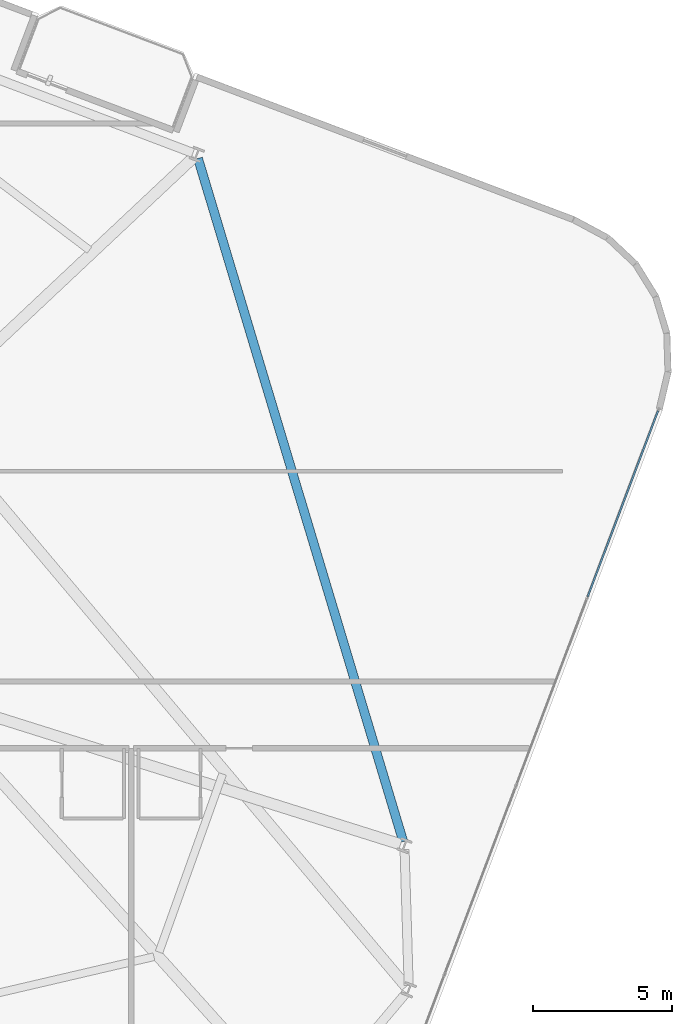
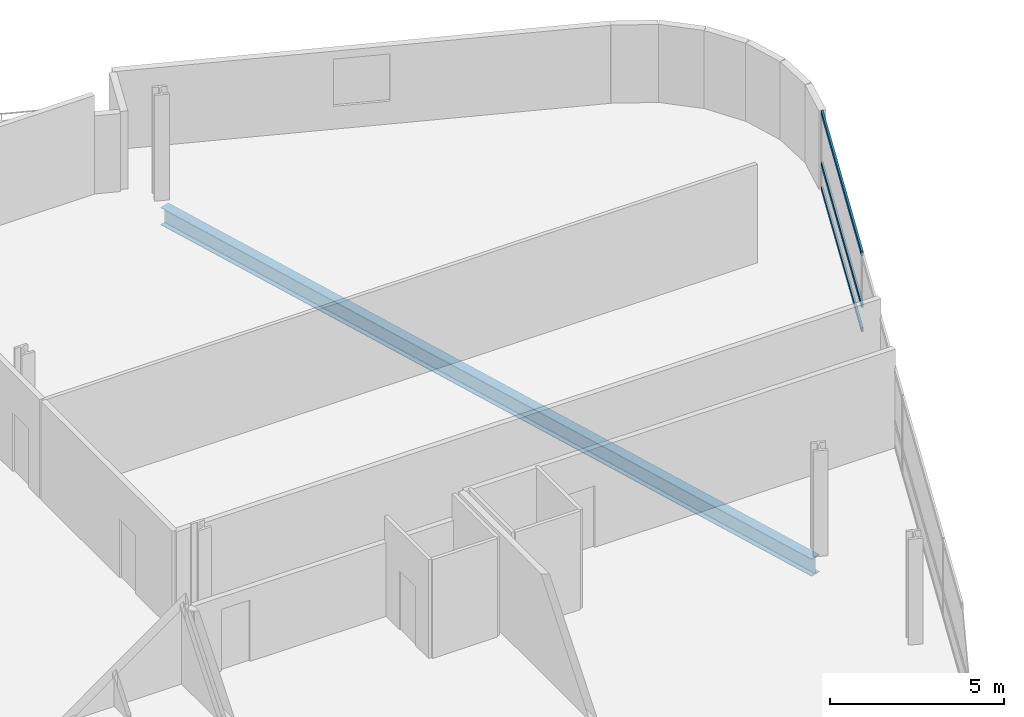
# One storey, part 14 of 25: 3 members, 1 beam, 1 element without a shape of its own.
"""IFC4 building model written with IfcOpenShell, lengths in metres."""

from ifc_helpers import new_model, si_unit, direction, frame, origin, origin_2d, place, context, subcontext, project, spatial, hollow_rectangle, i_section, extrude, material, layer, layer_set, material_profile, profile_set, type_object, element, aggregate, save


model = new_model("IFC4")

# Units and contexts
model_context = context("Model", 3, precision=1e-05, world=origin(), true_north=direction((0.0, 1.0)))
body_context = subcontext(model_context, "Body", "Model", "MODEL_VIEW")
ifc_project = project(units=[si_unit("LENGTHUNIT", "METRE"), si_unit("AREAUNIT", "SQUARE_METRE"), si_unit("VOLUMEUNIT", "CUBIC_METRE"), si_unit("PLANEANGLEUNIT", "RADIAN"), si_unit("MASSUNIT", "GRAM", prefix="KILO")], contexts=[model_context])

# Site, building, storey
site_placement = place(None, origin())
site = spatial("IfcSite", under=ifc_project, at=site_placement, CompositionType="ELEMENT")
building_placement = place(site_placement, origin())
building = spatial("IfcBuilding", under=site, at=building_placement, Name="Varnelok Gate Tower", CompositionType="ELEMENT")
storey_placement = place(building_placement, frame((0.0, 0.0, 79.89990234375)))
storey = spatial("IfcBuildingStorey", under=building, at=storey_placement, Name="L19", CompositionType="ELEMENT", Elevation=79.89990234375)

# Beam
ifc_material_1 = material(Name="Structural Steel ASTM A992 Grade 50", Category="steel")
ifc_material_profile_1 = material_profile(ifc_material_1, i_section(OverallWidth=0.323974609375, OverallDepth=0.611083984375, WebThickness=0.0126953125, FlangeThickness=0.01904296875, FilletRadius=0.01806640625, at=origin_2d()), Name="W24X104")
ifc_profile_set_1 = profile_set([ifc_material_profile_1], Name="Structural Steel ASTM A992 Grade 50")
beam_type = type_object("IfcBeamType", Name="BM-SPN-W24X104", PredefinedType="SPANDREL", material=ifc_profile_set_1)
beam_placement = place(storey_placement, frame((71.27587890625, 13.497802734375, -0.555419921875), z_axis=(-0.287745549664, 0.957706896001, 0.0), x_axis=(-0.957706896001, -0.287745549664, 0.0)))
element("IfcBeam", 1, at=beam_placement, inside=storey, type_object=beam_type, Name="L19 Perimeter Spandrel Beam 8", PredefinedType="SPANDREL", context=body_context, shape_type="SweptSolid", body=[
    extrude(i_section(OverallWidth=0.323974609375, OverallDepth=0.611083984375, WebThickness=0.0126953125, FlangeThickness=0.01904296875, FilletRadius=0.01806640625, at=origin_2d()), origin(), (0.0, 0.0, 1.0), 25.6259765625),
])

# Curtain wall, members
ifc_material_2 = material(Name="Anodized Aluminum Alloy 6063-T6", Category="aluminium")
ifc_layer = layer(ifc_material_2, 0.179931640625)
ifc_layer_set = layer_set([ifc_layer], Name="Anodized Aluminum Alloy 6063-T6")
curtain_wall_type = type_object("IfcCurtainWallType", Name="CW3-HOTEL-VISION", PredefinedType="USERDEFINED", material=ifc_layer_set)
curtain_wall_placement = place(storey_placement, origin())
curtain_wall = element("IfcCurtainWall", 2, at=curtain_wall_placement, inside=storey, type_object=curtain_wall_type, Name="L19 East End Vision Curtain Wall", ObjectType="UNITISED CURTAIN WALL", PredefinedType="USERDEFINED")
ifc_material_profile_2 = material_profile(ifc_material_2, hollow_rectangle(XDim=0.06494140625, YDim=0.159912109375, WallThickness=0.00390625, at=origin_2d()), Name="ALU160X65X4")
ifc_profile_set_2 = profile_set([ifc_material_profile_2], Name="Anodized Aluminum Alloy 6063-T6")
member_type = type_object("IfcMemberType", Name="CW-TRAN-160", PredefinedType="USERDEFINED", material=ifc_profile_set_2)
member_1_placement = place(storey_placement, frame((80.431884765625, 28.974365234375, 0.03271484375), z_axis=(-0.35404725046, -0.935227536187, 0.0), x_axis=(0.935227536187, -0.35404725046, 0.0)))
member_1 = element("IfcMember", 3, at=member_1_placement, type_object=member_type, Name="CW3 transom 1.1", ObjectType="TRANSOM", PredefinedType="USERDEFINED", context=body_context, shape_type="SweptSolid", body=[
    extrude(hollow_rectangle(XDim=0.06494140625, YDim=0.159912109375, WallThickness=0.00390625, at=origin_2d()), origin(), (0.0, 0.0, 1.0), 7.142578125),
])
member_2_placement = place(storey_placement, frame((80.431884765625, 28.974365234375, 0.900146484375), z_axis=(-0.35404725046, -0.935227536187, 0.0), x_axis=(0.935227536187, -0.35404725046, 0.0)))
member_2 = element("IfcMember", 4, at=member_2_placement, type_object=member_type, Name="CW3 transom 1.2", ObjectType="TRANSOM", PredefinedType="USERDEFINED", context=body_context, shape_type="SweptSolid", body=[
    extrude(hollow_rectangle(XDim=0.06494140625, YDim=0.159912109375, WallThickness=0.00390625, at=origin_2d()), origin(), (0.0, 0.0, 1.0), 7.142578125),
])
member_3_placement = place(storey_placement, frame((80.431884765625, 28.974365234375, 2.697509765625), z_axis=(-0.35404725046, -0.935227536187, 0.0), x_axis=(0.935227536187, -0.35404725046, 0.0)))
member_3 = element("IfcMember", 5, at=member_3_placement, type_object=member_type, Name="CW3 transom 1.3", ObjectType="TRANSOM", PredefinedType="USERDEFINED", context=body_context, shape_type="SweptSolid", body=[
    extrude(hollow_rectangle(XDim=0.06494140625, YDim=0.159912109375, WallThickness=0.00390625, at=origin_2d()), origin(), (0.0, 0.0, 1.0), 7.142578125),
])
aggregate(curtain_wall, [member_1, member_2, member_3])

save(model, "model.ifc")
